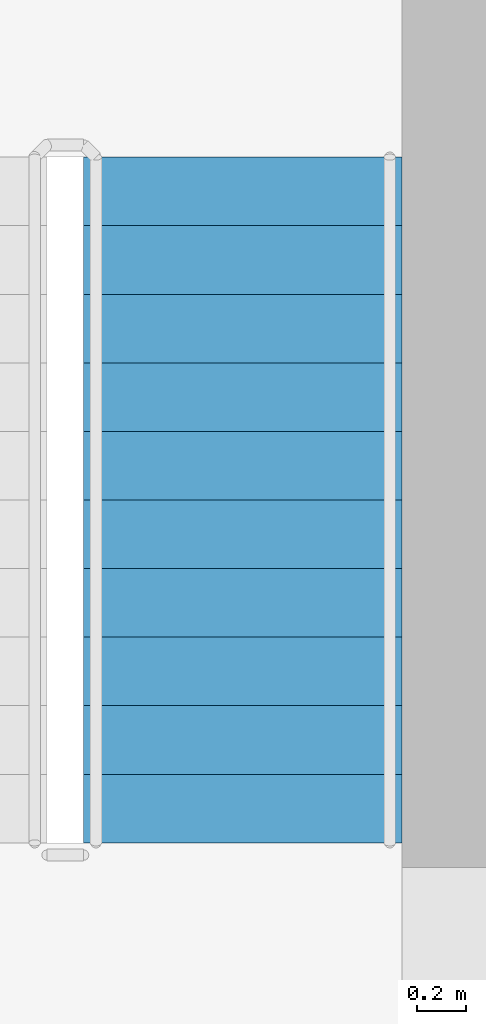
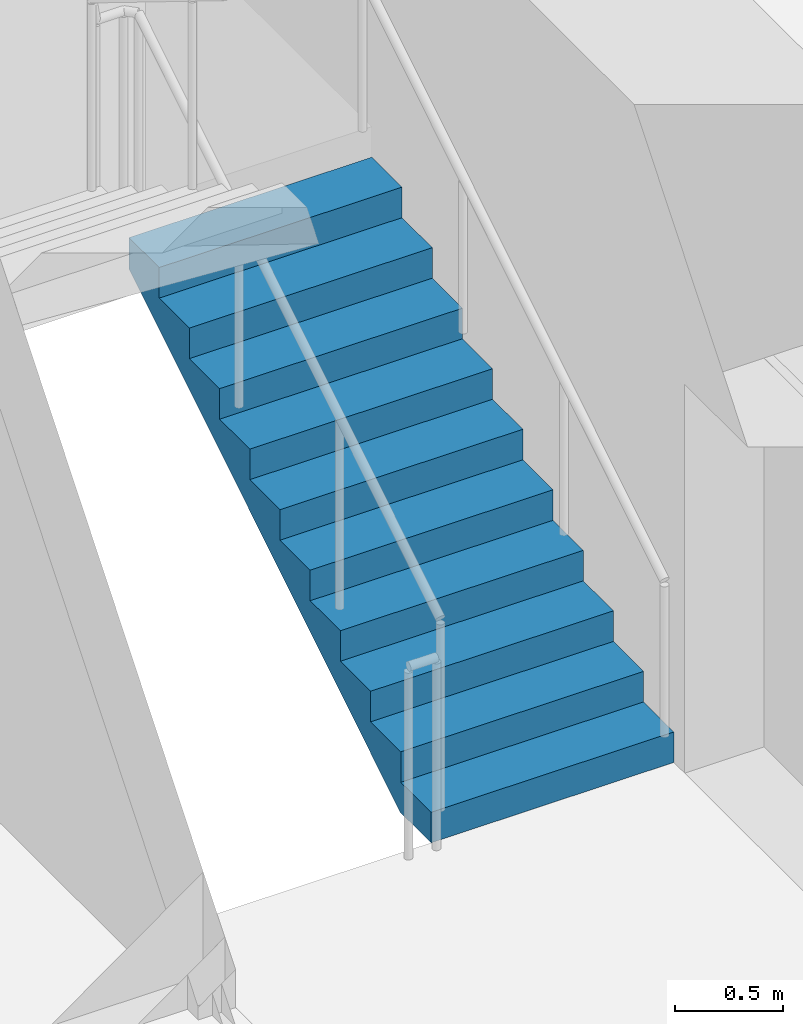
# One storey, part 7 of 14: 1 stair flight, 1 element without a shape of its own.
"""IFC4 building model written with IfcOpenShell, lengths in metres."""

from ifc_helpers import new_model, si_unit, direction, frame, origin, place, context, subcontext, project, spatial, polyline, outline, extrude, material, type_object, element, aggregate, save


model = new_model("IFC4")

# Units and contexts
model_context = context("Model", 3, precision=1e-05, world=origin(), true_north=direction((0.0, 1.0)))
body_context = subcontext(model_context, "Body", "Model", "MODEL_VIEW")
ifc_project = project(units=[si_unit("LENGTHUNIT", "METRE"), si_unit("AREAUNIT", "SQUARE_METRE"), si_unit("VOLUMEUNIT", "CUBIC_METRE"), si_unit("PLANEANGLEUNIT", "RADIAN"), si_unit("MASSUNIT", "GRAM", prefix="KILO")], contexts=[model_context])

# Site, building, storey
site_placement = place(None, origin())
site = spatial("IfcSite", under=ifc_project, at=site_placement, CompositionType="ELEMENT")
building_placement = place(site_placement, origin())
building = spatial("IfcBuilding", under=site, at=building_placement, Name="Orbiselva Terraces", CompositionType="ELEMENT")
storey_placement = place(building_placement, frame((0.0, 0.0, 73.2)))
storey = spatial("IfcBuildingStorey", under=building, at=storey_placement, Name="L18", CompositionType="ELEMENT", Elevation=73.2)

# Stair, stair flight
ifc_material = material(Name="Concrete C40/50", Category="concrete")
stair_type = type_object("IfcStairType", Name="CORE-STAIR-1300", PredefinedType="HALF_TURN_STAIR", material=ifc_material)
stair_placement = place(storey_placement, origin())
stair = element("IfcStair", 1, at=stair_placement, inside=storey, type_object=stair_type, Name="L18 Exit Stair S2", PredefinedType="HALF_TURN_STAIR")
stair_flight_type = type_object("IfcStairFlightType", Name="CORE-STAIR-FLIGHT-1300", PredefinedType="STRAIGHT", material=ifc_material)
stair_flight_placement = place(storey_placement, frame((11.95, 12.7, 0.0), z_axis=(0.0, 0.0, 1.0), x_axis=(0.0, 1.0, 0.0)))
stair_flight = element("IfcStairFlight", 2, at=stair_flight_placement, type_object=stair_flight_type, Name="S2 flight 1", NumberOfRisers=11, NumberOfTreads=10, PredefinedType="STRAIGHT", RiserHeight=0.172727273, TreadLength=0.28, context=body_context, shape_type="SweptSolid", body=[
    extrude(outline(polyline([(0.0, 0.0), (0.0, 0.172727), (0.28, 0.172727), (0.28, 0.345455), (0.56, 0.345455), (0.56, 0.518182), (0.84, 0.518182), (0.84, 0.690909), (1.12, 0.690909), (1.12, 0.863636), (1.4, 0.863636), (1.4, 1.036364), (1.68, 1.036364), (1.68, 1.209091), (1.96, 1.209091), (1.96, 1.381818), (2.24, 1.381818), (2.24, 1.554545), (2.52, 1.554545), (2.52, 1.727273), (2.8, 1.727273), (2.8, 1.9), (2.8, 1.551028), (0.285702, 0.0), (0.0, 0.0)])), frame((0.0, 0.65, 0.0), z_axis=(0.0, -1.0, 0.0), x_axis=(1.0, 0.0, 0.0)), (0.0, 0.0, 1.0), 1.3),
])
aggregate(stair, [stair_flight])

save(model, "model.ifc")
